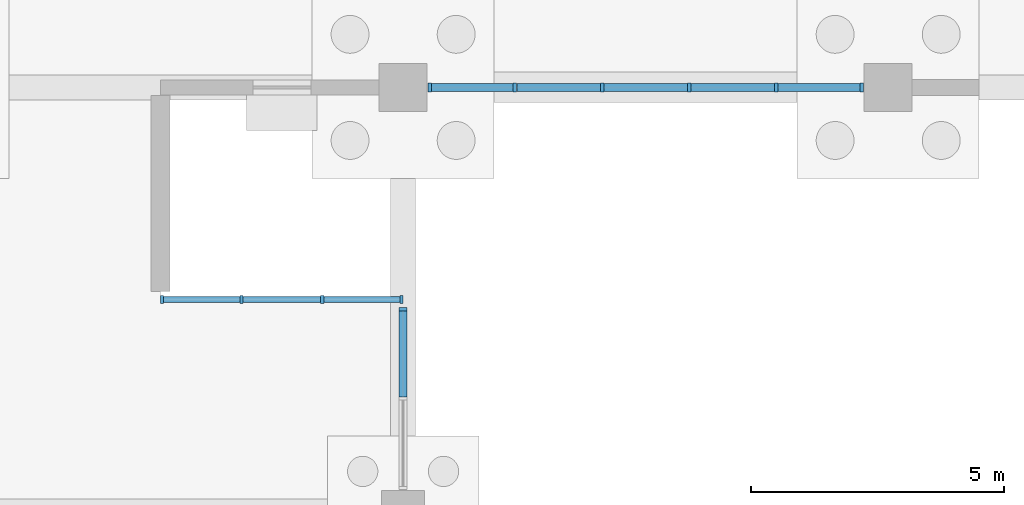
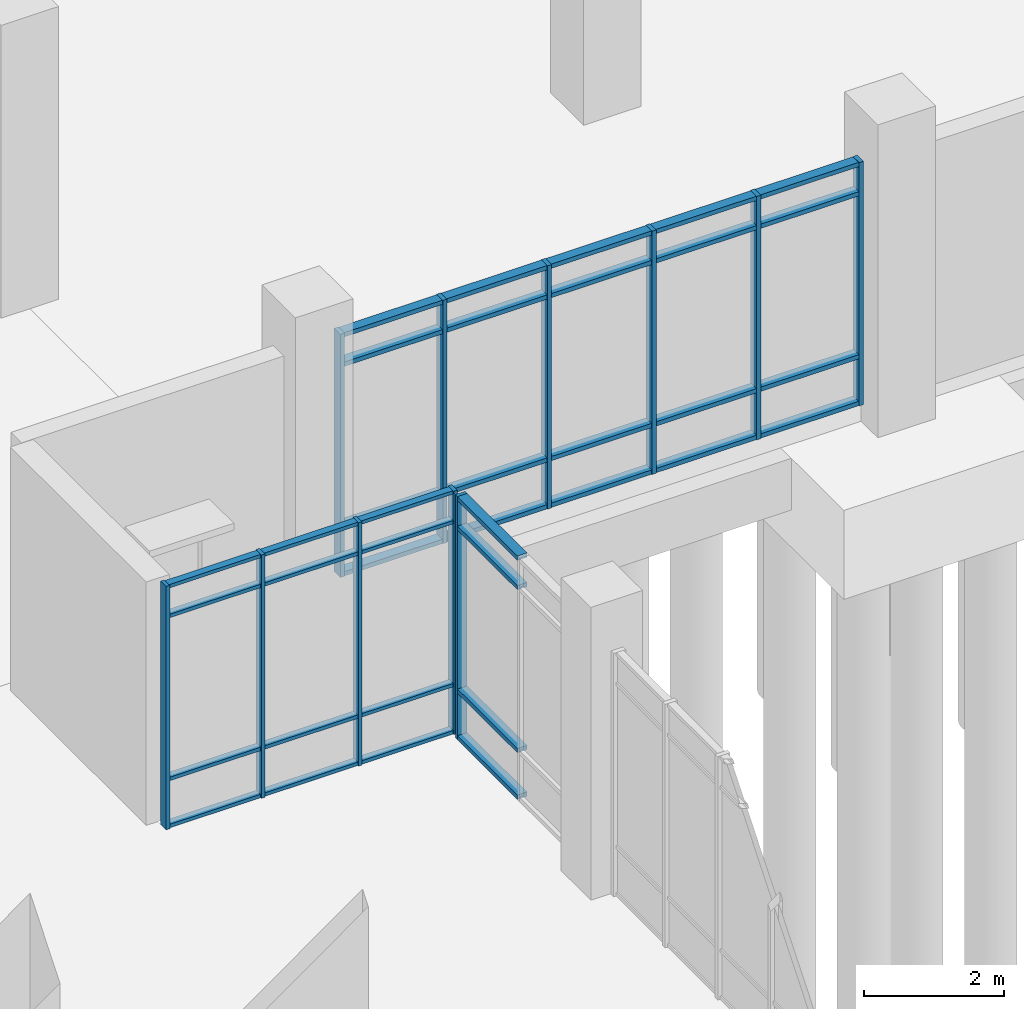
# One storey, part 62 of 136: 47 members, 3 elements without a shape of their own.
"""IFC4 building model written with IfcOpenShell, lengths in metres."""

import ifcopenshell
import ifcopenshell.guid

model = None  # the IFC model being written
_history = None  # IfcOwnerHistory: only IFC2X3 demands one
_inside = {}  # id of a spatial element -> (the spatial element, [elements in it])
_under = {}  # id of a project, library or spatial element -> (it, [spatial elements below it])
_declared = {}  # id of a project -> (the project, [libraries it declares])
_typed = {}  # id of a type object -> (the type object, [elements of that type])
_made_of = {}  # id of a material, layer set ... -> (it, [elements and type objects made of it])


def new_model(schema):
    """Start an empty IFC model of exactly this schema.

    Asked for "IFC4X3", IfcOpenShell would pick the latest addendum, in which some entities
    have other attributes; the version numbers below select the first issue.
    IFC2X3 requires an IfcOwnerHistory on every rooted entity: one is made here for all.
    """
    global model, _history
    if schema == "IFC4X3":
        model = ifcopenshell.file(schema_version=(4, 3, 0, 0))
    else:
        model = ifcopenshell.file(schema=schema)
    _inside.clear()
    _under.clear()
    _declared.clear()
    _typed.clear()
    _made_of.clear()
    _history = None
    if model.schema == "IFC2X3":
        org = make("IfcOrganization", Name="unknown")
        user = make(
            "IfcPersonAndOrganization",
            ThePerson=make("IfcPerson", FamilyName="unknown"),
            TheOrganization=org,
        )
        app = make(
            "IfcApplication",
            ApplicationDeveloper=org,
            Version="unknown",
            ApplicationFullName="unknown",
            ApplicationIdentifier="unknown",
        )
        _history = make(
            "IfcOwnerHistory",
            OwningUser=user,
            OwningApplication=app,
            ChangeAction="ADDED",
            CreationDate=0,
        )
    return model


def make(cls, **values):
    """One entity of the class cls with the attributes given. An attribute that is None is left unset."""
    return model.create_entity(
        cls, **{name: value for name, value in values.items() if value is not None}
    )


def rooted(cls, **values):
    """An entity with a GlobalId (a new one), such as an element, a storey or a relation."""
    return make(cls, GlobalId=ifcopenshell.guid.new(), OwnerHistory=_history, **values)


def si_unit(unit_type, name, prefix=None):
    """IfcSIUnit, for example si_unit("LENGTHUNIT", "METRE", prefix="MILLI")."""
    return make("IfcSIUnit", UnitType=unit_type, Prefix=prefix, Name=name)


def assignment(units):
    """IfcUnitAssignment: the units of a project."""
    return None if units is None else make("IfcUnitAssignment", Units=units)


def point(xyz):
    """IfcCartesianPoint."""
    return None if xyz is None else make("IfcCartesianPoint", Coordinates=xyz)


def direction(xyz):
    """IfcDirection."""
    return None if xyz is None else make("IfcDirection", DirectionRatios=xyz)


def frame(location, z_axis=None, x_axis=None):
    """IfcAxis2Placement3D, a coordinate frame: its origin and axes. An axis left out is left unset."""
    return make(
        "IfcAxis2Placement3D",
        Location=point(location),
        Axis=direction(z_axis),
        RefDirection=direction(x_axis),
    )


def frame_2d(location, x_axis=None):
    """IfcAxis2Placement2D, a coordinate frame in the plane: its origin and x axis."""
    return make(
        "IfcAxis2Placement2D", Location=point(location), RefDirection=direction(x_axis)
    )


def origin():
    """The frame at (0, 0, 0) with its axes left unset."""
    return frame((0.0, 0.0, 0.0))


def origin_2d():
    """The frame at (0, 0) in the plane with its x axis left unset."""
    return frame_2d((0.0, 0.0))


def place(relative_to, where):
    """IfcLocalPlacement: puts the frame where relative to a parent placement (None: the world)."""
    return make(
        "IfcLocalPlacement", PlacementRelTo=relative_to, RelativePlacement=where
    )


def context(
    kind, dimensions, precision=None, world=None, true_north=None, identifier=None
):
    """IfcGeometricRepresentationContext, for example the 3D "Model" context."""
    return make(
        "IfcGeometricRepresentationContext",
        ContextIdentifier=identifier,
        ContextType=kind,
        CoordinateSpaceDimension=dimensions,
        Precision=precision,
        WorldCoordinateSystem=world,
        TrueNorth=true_north,
    )


def subcontext(parent, identifier, kind, view, scale=None):
    """IfcGeometricRepresentationSubContext, for example "Body" below "Model"."""
    return make(
        "IfcGeometricRepresentationSubContext",
        ContextIdentifier=identifier,
        ContextType=kind,
        ParentContext=parent,
        TargetScale=scale,
        TargetView=view,
    )


def project(units=None, contexts=None):
    """IfcProject with its units and contexts."""
    return rooted(
        "IfcProject",
        Name="project",
        RepresentationContexts=contexts,
        UnitsInContext=assignment(units),
    )


def spatial(cls, under=None, at=None, **own):
    """A site, building, storey or space (cls), placed at a placement, below another one or the project."""
    s = rooted(cls, ObjectPlacement=at, **own)
    if under is not None:
        _under.setdefault(under.id(), (under, []))[1].append(s)
    return s


def profile(cls, at=None, kind="AREA", **sizes):
    """A parametric profile (cls). Its sizes go by their IFC names, for example OverallWidth=200.0."""
    return make(cls, ProfileType=kind, Position=at, **sizes)


def rectangle(**sizes):
    """IfcRectangleProfileDef."""
    return profile("IfcRectangleProfileDef", **sizes)


def extrude(swept, where, along, depth):
    """IfcExtrudedAreaSolid: the profile swept, set in the frame where, extruded along a direction by depth."""
    return make(
        "IfcExtrudedAreaSolid",
        SweptArea=swept,
        Position=where,
        ExtrudedDirection=direction(along),
        Depth=depth,
    )


def shape(context_of_items, identifier, shape_type, items):
    """IfcShapeRepresentation: the items that make up one representation, for example the "Body"."""
    return make(
        "IfcShapeRepresentation",
        ContextOfItems=context_of_items,
        RepresentationIdentifier=identifier,
        RepresentationType=shape_type,
        Items=items,
    )


def material(Name=None, Category=None):
    """IfcMaterial."""
    return make("IfcMaterial", Name=Name, Category=Category)


def material_profile(
    of_material, cross_section, Name=None, Category=None, Priority=None
):
    """IfcMaterialProfile: a cross section and its material."""
    return make(
        "IfcMaterialProfile",
        Name=Name,
        Material=of_material,
        Profile=cross_section,
        Priority=Priority,
        Category=Category,
    )


def profile_set(profiles, Name=None, composite=None):
    """IfcMaterialProfileSet."""
    return make(
        "IfcMaterialProfileSet",
        Name=Name,
        MaterialProfiles=profiles,
        CompositeProfile=composite,
    )


def made_of(thing, what):
    """Note that an element or type object is made of a material, layer set ...; save() writes the relation."""
    if what is not None:
        _made_of.setdefault(what.id(), (what, []))[1].append(thing)
    return thing


def type_object(cls, material=None, **own):
    """A type object (cls), such as IfcWallType, which elements share."""
    return made_of(rooted(cls, **own), material)


def element(
    cls,
    number,
    at=None,
    inside=None,
    cuts=None,
    type_object=None,
    material=None,
    context=None,
    identifier="Body",
    shape_type=None,
    held_by="IfcProductDefinitionShape",
    body=None,
    shapes=None,
    **own,
):
    """One element of the class cls, such as IfcWall. Its Tag is "e" and its number.

    at: its placement. inside: the storey or other place that contains it. cuts: it is an
    opening in that element (IfcRelVoidsElement). A single representation is given by context,
    identifier, shape_type and body (its items); several are given by shapes. held_by: the class
    of the entity that holds the representations. save() writes the other relations.
    """
    e = rooted(cls, Tag="e%d" % number, ObjectPlacement=at, **own)
    if body is not None:
        shapes = [shape(context, identifier, shape_type, body)]
    if shapes is not None:
        e.Representation = make(held_by, Representations=shapes)
    if inside is not None:
        _inside.setdefault(inside.id(), (inside, []))[1].append(e)
    if cuts is not None:
        rooted(
            "IfcRelVoidsElement", RelatingBuildingElement=cuts, RelatedOpeningElement=e
        )
    if type_object is not None:
        _typed.setdefault(type_object.id(), (type_object, []))[1].append(e)
    return made_of(e, material)


def aggregate(whole, parts):
    """IfcRelAggregates: a whole, such as a stair, and the parts it consists of."""
    return rooted("IfcRelAggregates", RelatingObject=whole, RelatedObjects=parts)


def save(model, path):
    """Write the relations noted so far, then the file.

    IfcRelAggregates (storeys below a building ...), IfcRelContainedInSpatialStructure (elements
    in a storey), IfcRelDefinesByType, IfcRelAssociatesMaterial and IfcRelDeclares: one each for
    every whole, place, type object, material and project.
    """
    for whole, parts in _under.values():
        aggregate(whole, parts)
    for where, things in _inside.values():
        rooted(
            "IfcRelContainedInSpatialStructure",
            RelatedElements=things,
            RelatingStructure=where,
        )
    for kind, things in _typed.values():
        rooted("IfcRelDefinesByType", RelatedObjects=things, RelatingType=kind)
    for what, things in _made_of.values():
        rooted("IfcRelAssociatesMaterial", RelatedObjects=things, RelatingMaterial=what)
    for by, libraries in _declared.values():
        rooted("IfcRelDeclares", RelatingContext=by, RelatedDefinitions=libraries)
    model.write(path)


model = new_model("IFC4")

# Units and contexts
model_context = context("Model", 3, precision=1e-05, world=origin(), true_north=direction((0.0, 1.0)))
body_context = subcontext(model_context, "Body", "Model", "MODEL_VIEW")
ifc_project = project(units=[si_unit("LENGTHUNIT", "METRE"), si_unit("AREAUNIT", "SQUARE_METRE"), si_unit("VOLUMEUNIT", "CUBIC_METRE"), si_unit("PLANEANGLEUNIT", "RADIAN"), si_unit("MASSUNIT", "GRAM", prefix="KILO")], contexts=[model_context])

# Site, building, storey
site_placement = place(None, origin())
site = spatial("IfcSite", under=ifc_project, at=site_placement, CompositionType="ELEMENT")
building_placement = place(site_placement, origin())
building = spatial("IfcBuilding", under=site, at=building_placement, Name="Oolite Switchyard Hospital", CompositionType="ELEMENT")
storey_placement = place(building_placement, origin())
storey = spatial("IfcBuildingStorey", under=building, at=storey_placement, Name="L00", CompositionType="ELEMENT", Elevation=0.0)

# Curtain wall, members
ifc_material_1 = material(Name="Thermally broken aluminum frame with laminated impact glazing", Category="aluminium")
curtain_wall_type_1 = type_object("IfcCurtainWallType", Name="CW-UNIT-84X51", PredefinedType="USERDEFINED", material=ifc_material_1)
curtain_wall_1_placement = place(storey_placement, origin())
curtain_wall_1 = element("IfcCurtainWall", 1, at=curtain_wall_1_placement, inside=storey, type_object=curtain_wall_type_1, Name="L00 Unitised Curtain Wall 36", ObjectType="UNITISED", PredefinedType="USERDEFINED")
ifc_material_2 = material(Name="Aluminium 6063-T6", Category="aluminium")
ifc_material_profile_1 = material_profile(ifc_material_2, rectangle(XDim=0.159912109375, YDim=0.06005859375, at=origin_2d()), Name="CWM60X160")
ifc_profile_set_1 = profile_set([ifc_material_profile_1], Name="Aluminium 6063-T6")
member_type_1 = type_object("IfcMemberType", Name="CW-MUL-180", PredefinedType="MULLION", material=ifc_profile_set_1)
member_1_placement = place(storey_placement, frame((168.030029296875, 96.60009765625, 0.0), z_axis=(0.0, 0.0, 1.0), x_axis=(0.0, 1.0, 0.0)))
member_1 = element("IfcMember", 2, at=member_1_placement, type_object=member_type_1, Name="CW-06 mullion 1", PredefinedType="MULLION", context=body_context, shape_type="SweptSolid", body=[
    extrude(rectangle(XDim=0.159912109375, YDim=0.06005859375, at=origin_2d()), origin(), (0.0, 0.0, 1.0), 4.239990234375),
])
member_2_placement = place(storey_placement, frame((169.60009765625, 96.60009765625, 0.0), z_axis=(0.0, 0.0, 1.0), x_axis=(0.0, 1.0, 0.0)))
member_2 = element("IfcMember", 3, at=member_2_placement, type_object=member_type_1, Name="CW-06 mullion 2", PredefinedType="MULLION", context=body_context, shape_type="SweptSolid", body=[
    extrude(rectangle(XDim=0.159912109375, YDim=0.06005859375, at=origin_2d()), origin(), (0.0, 0.0, 1.0), 4.239990234375),
])
member_3_placement = place(storey_placement, frame((171.199951171875, 96.60009765625, 0.0), z_axis=(0.0, 0.0, 1.0), x_axis=(0.0, 1.0, 0.0)))
member_3 = element("IfcMember", 4, at=member_3_placement, type_object=member_type_1, Name="CW-06 mullion 3", PredefinedType="MULLION", context=body_context, shape_type="SweptSolid", body=[
    extrude(rectangle(XDim=0.159912109375, YDim=0.06005859375, at=origin_2d()), origin(), (0.0, 0.0, 1.0), 4.239990234375),
])
member_4_placement = place(storey_placement, frame((172.77001953125, 96.60009765625, 0.0), z_axis=(0.0, 0.0, 1.0), x_axis=(0.0, 1.0, 0.0)))
member_4 = element("IfcMember", 5, at=member_4_placement, type_object=member_type_1, Name="CW-06 mullion 4", PredefinedType="MULLION", context=body_context, shape_type="SweptSolid", body=[
    extrude(rectangle(XDim=0.159912109375, YDim=0.06005859375, at=origin_2d()), origin(), (0.0, 0.0, 1.0), 4.239990234375),
])

# Curtain wall, member
curtain_wall_2_placement = place(storey_placement, origin())
curtain_wall_2 = element("IfcCurtainWall", 6, at=curtain_wall_2_placement, inside=storey, type_object=curtain_wall_type_1, Name="L00 Unitised Curtain Wall 81", ObjectType="UNITISED", PredefinedType="USERDEFINED")
member_5_placement = place(storey_placement, frame((172.800048828125, 96.409912109375, 0.0), z_axis=(0.0, 0.0, 1.0), x_axis=(1.0, 0.0, 0.0)))
member_5 = element("IfcMember", 7, at=member_5_placement, type_object=member_type_1, Name="CW-06 mullion 1", PredefinedType="MULLION", context=body_context, shape_type="SweptSolid", body=[
    extrude(rectangle(XDim=0.159912109375, YDim=0.06005859375, at=origin_2d()), origin(), (0.0, 0.0, 1.0), 4.239990234375),
])

# Curtain wall, members
curtain_wall_type_2 = type_object("IfcCurtainWallType", Name="CW-UNIT-96X51", PredefinedType="USERDEFINED", material=ifc_material_1)
curtain_wall_3_placement = place(storey_placement, origin())
curtain_wall_3 = element("IfcCurtainWall", 8, at=curtain_wall_3_placement, inside=storey, type_object=curtain_wall_type_2, Name="L00 Unitised Curtain Wall 37", ObjectType="UNITISED", PredefinedType="USERDEFINED")
ifc_material_profile_2 = material_profile(ifc_material_2, rectangle(XDim=0.179931640625, YDim=0.070068359375, at=origin_2d()), Name="CWM70X180")
ifc_profile_set_2 = profile_set([ifc_material_profile_2], Name="Aluminium 6063-T6")
member_type_2 = type_object("IfcMemberType", Name="CW-MUL-220", PredefinedType="MULLION", material=ifc_profile_set_2)
member_6_placement = place(storey_placement, frame((181.875, 100.800048828125, 0.0), z_axis=(0.0, 0.0, 1.0), x_axis=(0.0, -1.0, 0.0)))
member_6 = element("IfcMember", 9, at=member_6_placement, type_object=member_type_2, Name="CW-01 mullion 1", PredefinedType="MULLION", context=body_context, shape_type="SweptSolid", body=[
    extrude(rectangle(XDim=0.179931640625, YDim=0.070068359375, at=origin_2d()), origin(), (0.0, 0.0, 1.0), 4.239990234375),
])
member_7_placement = place(storey_placement, frame((180.18603515625, 100.800048828125, 0.0), z_axis=(0.0, 0.0, 1.0), x_axis=(0.0, -1.0, 0.0)))
member_7 = element("IfcMember", 10, at=member_7_placement, type_object=member_type_2, Name="CW-01 mullion 2", PredefinedType="MULLION", context=body_context, shape_type="SweptSolid", body=[
    extrude(rectangle(XDim=0.179931640625, YDim=0.070068359375, at=origin_2d()), origin(), (0.0, 0.0, 1.0), 4.239990234375),
])
member_8_placement = place(storey_placement, frame((178.4619140625, 100.800048828125, 0.0), z_axis=(0.0, 0.0, 1.0), x_axis=(0.0, -1.0, 0.0)))
member_8 = element("IfcMember", 11, at=member_8_placement, type_object=member_type_2, Name="CW-01 mullion 3", PredefinedType="MULLION", context=body_context, shape_type="SweptSolid", body=[
    extrude(rectangle(XDim=0.179931640625, YDim=0.070068359375, at=origin_2d()), origin(), (0.0, 0.0, 1.0), 4.239990234375),
])
member_9_placement = place(storey_placement, frame((176.738037109375, 100.800048828125, 0.0), z_axis=(0.0, 0.0, 1.0), x_axis=(0.0, -1.0, 0.0)))
member_9 = element("IfcMember", 12, at=member_9_placement, type_object=member_type_2, Name="CW-01 mullion 4", PredefinedType="MULLION", context=body_context, shape_type="SweptSolid", body=[
    extrude(rectangle(XDim=0.179931640625, YDim=0.070068359375, at=origin_2d()), origin(), (0.0, 0.0, 1.0), 4.239990234375),
])
member_10_placement = place(storey_placement, frame((175.013916015625, 100.800048828125, 0.0), z_axis=(0.0, 0.0, 1.0), x_axis=(0.0, -1.0, 0.0)))
member_10 = element("IfcMember", 13, at=member_10_placement, type_object=member_type_2, Name="CW-01 mullion 5", PredefinedType="MULLION", context=body_context, shape_type="SweptSolid", body=[
    extrude(rectangle(XDim=0.179931640625, YDim=0.070068359375, at=origin_2d()), origin(), (0.0, 0.0, 1.0), 4.239990234375),
])
member_11_placement = place(storey_placement, frame((173.324951171875, 100.800048828125, 0.0), z_axis=(0.0, 0.0, 1.0), x_axis=(0.0, -1.0, 0.0)))
member_11 = element("IfcMember", 14, at=member_11_placement, type_object=member_type_2, Name="CW-01 mullion 6", PredefinedType="MULLION", context=body_context, shape_type="SweptSolid", body=[
    extrude(rectangle(XDim=0.179931640625, YDim=0.070068359375, at=origin_2d()), origin(), (0.0, 0.0, 1.0), 4.239990234375),
])

# Member
ifc_material_profile_3 = material_profile(ifc_material_2, rectangle(XDim=0.1201171875, YDim=0.06005859375, at=origin_2d()), Name="CWT60X120")
ifc_profile_set_3 = profile_set([ifc_material_profile_3], Name="Aluminium 6063-T6")
member_type_3 = type_object("IfcMemberType", Name="CW-TRN-150", PredefinedType="USERDEFINED", material=ifc_profile_set_3)
member_12_placement = place(storey_placement, frame((168.06005859375, 96.60009765625, 0.030029296875), z_axis=(1.0, 0.0, 0.0), x_axis=(0.0, 1.0, 0.0)))
member_12 = element("IfcMember", 15, at=member_12_placement, type_object=member_type_3, Name="CW-06 transom 1.1", ObjectType="TRANSOM", PredefinedType="USERDEFINED", context=body_context, shape_type="SweptSolid", body=[
    extrude(rectangle(XDim=0.1201171875, YDim=0.06005859375, at=origin_2d()), origin(), (0.0, 0.0, 1.0), 1.510009765625),
])

member_13_placement = place(storey_placement, frame((168.06005859375, 96.60009765625, 0.85009765625), z_axis=(1.0, 0.0, 0.0), x_axis=(0.0, 1.0, 0.0)))
member_13 = element("IfcMember", 16, at=member_13_placement, type_object=member_type_3, Name="CW-06 transom 1.2", ObjectType="TRANSOM", PredefinedType="USERDEFINED", context=body_context, shape_type="SweptSolid", body=[
    extrude(rectangle(XDim=0.1201171875, YDim=0.06005859375, at=origin_2d()), origin(), (0.0, 0.0, 1.0), 1.510009765625),
])

member_14_placement = place(storey_placement, frame((168.06005859375, 96.60009765625, 3.68994140625), z_axis=(1.0, 0.0, 0.0), x_axis=(0.0, 1.0, 0.0)))
member_14 = element("IfcMember", 17, at=member_14_placement, type_object=member_type_3, Name="CW-06 transom 1.3", ObjectType="TRANSOM", PredefinedType="USERDEFINED", context=body_context, shape_type="SweptSolid", body=[
    extrude(rectangle(XDim=0.1201171875, YDim=0.06005859375, at=origin_2d()), origin(), (0.0, 0.0, 1.0), 1.510009765625),
])

member_15_placement = place(storey_placement, frame((168.06005859375, 96.60009765625, 4.2099609375), z_axis=(1.0, 0.0, 0.0), x_axis=(0.0, 1.0, 0.0)))
member_15 = element("IfcMember", 18, at=member_15_placement, type_object=member_type_3, Name="CW-06 transom 1.4", ObjectType="TRANSOM", PredefinedType="USERDEFINED", context=body_context, shape_type="SweptSolid", body=[
    extrude(rectangle(XDim=0.1201171875, YDim=0.06005859375, at=origin_2d()), origin(), (0.0, 0.0, 1.0), 1.510009765625),
])

member_16_placement = place(storey_placement, frame((169.6298828125, 96.60009765625, 0.030029296875), z_axis=(1.0, 0.0, 0.0), x_axis=(0.0, 1.0, 0.0)))
member_16 = element("IfcMember", 19, at=member_16_placement, type_object=member_type_3, Name="CW-06 transom 2.1", ObjectType="TRANSOM", PredefinedType="USERDEFINED", context=body_context, shape_type="SweptSolid", body=[
    extrude(rectangle(XDim=0.1201171875, YDim=0.06005859375, at=origin_2d()), origin(), (0.0, 0.0, 1.0), 1.5400390625),
])

member_17_placement = place(storey_placement, frame((169.6298828125, 96.60009765625, 0.85009765625), z_axis=(1.0, 0.0, 0.0), x_axis=(0.0, 1.0, 0.0)))
member_17 = element("IfcMember", 20, at=member_17_placement, type_object=member_type_3, Name="CW-06 transom 2.2", ObjectType="TRANSOM", PredefinedType="USERDEFINED", context=body_context, shape_type="SweptSolid", body=[
    extrude(rectangle(XDim=0.1201171875, YDim=0.06005859375, at=origin_2d()), origin(), (0.0, 0.0, 1.0), 1.5400390625),
])

member_18_placement = place(storey_placement, frame((169.6298828125, 96.60009765625, 3.68994140625), z_axis=(1.0, 0.0, 0.0), x_axis=(0.0, 1.0, 0.0)))
member_18 = element("IfcMember", 21, at=member_18_placement, type_object=member_type_3, Name="CW-06 transom 2.3", ObjectType="TRANSOM", PredefinedType="USERDEFINED", context=body_context, shape_type="SweptSolid", body=[
    extrude(rectangle(XDim=0.1201171875, YDim=0.06005859375, at=origin_2d()), origin(), (0.0, 0.0, 1.0), 1.5400390625),
])

member_19_placement = place(storey_placement, frame((169.6298828125, 96.60009765625, 4.2099609375), z_axis=(1.0, 0.0, 0.0), x_axis=(0.0, 1.0, 0.0)))
member_19 = element("IfcMember", 22, at=member_19_placement, type_object=member_type_3, Name="CW-06 transom 2.4", ObjectType="TRANSOM", PredefinedType="USERDEFINED", context=body_context, shape_type="SweptSolid", body=[
    extrude(rectangle(XDim=0.1201171875, YDim=0.06005859375, at=origin_2d()), origin(), (0.0, 0.0, 1.0), 1.5400390625),
])

member_20_placement = place(storey_placement, frame((171.22998046875, 96.60009765625, 0.030029296875), z_axis=(1.0, 0.0, 0.0), x_axis=(0.0, 1.0, 0.0)))
member_20 = element("IfcMember", 23, at=member_20_placement, type_object=member_type_3, Name="CW-06 transom 3.1", ObjectType="TRANSOM", PredefinedType="USERDEFINED", context=body_context, shape_type="SweptSolid", body=[
    extrude(rectangle(XDim=0.1201171875, YDim=0.06005859375, at=origin_2d()), origin(), (0.0, 0.0, 1.0), 1.510009765625),
])

member_21_placement = place(storey_placement, frame((171.22998046875, 96.60009765625, 0.85009765625), z_axis=(1.0, 0.0, 0.0), x_axis=(0.0, 1.0, 0.0)))
member_21 = element("IfcMember", 24, at=member_21_placement, type_object=member_type_3, Name="CW-06 transom 3.2", ObjectType="TRANSOM", PredefinedType="USERDEFINED", context=body_context, shape_type="SweptSolid", body=[
    extrude(rectangle(XDim=0.1201171875, YDim=0.06005859375, at=origin_2d()), origin(), (0.0, 0.0, 1.0), 1.510009765625),
])

member_22_placement = place(storey_placement, frame((171.22998046875, 96.60009765625, 3.68994140625), z_axis=(1.0, 0.0, 0.0), x_axis=(0.0, 1.0, 0.0)))
member_22 = element("IfcMember", 25, at=member_22_placement, type_object=member_type_3, Name="CW-06 transom 3.3", ObjectType="TRANSOM", PredefinedType="USERDEFINED", context=body_context, shape_type="SweptSolid", body=[
    extrude(rectangle(XDim=0.1201171875, YDim=0.06005859375, at=origin_2d()), origin(), (0.0, 0.0, 1.0), 1.510009765625),
])

member_23_placement = place(storey_placement, frame((171.22998046875, 96.60009765625, 4.2099609375), z_axis=(1.0, 0.0, 0.0), x_axis=(0.0, 1.0, 0.0)))
member_23 = element("IfcMember", 26, at=member_23_placement, type_object=member_type_3, Name="CW-06 transom 3.4", ObjectType="TRANSOM", PredefinedType="USERDEFINED", context=body_context, shape_type="SweptSolid", body=[
    extrude(rectangle(XDim=0.1201171875, YDim=0.06005859375, at=origin_2d()), origin(), (0.0, 0.0, 1.0), 1.510009765625),
])

aggregate(curtain_wall_1, [member_1, member_2, member_3, member_4, member_12, member_13, member_14, member_15, member_16, member_17, member_18, member_19, member_20, member_21, member_22, member_23])

ifc_material_profile_4 = material_profile(ifc_material_2, rectangle(XDim=0.159912109375, YDim=0.074951171875, at=origin_2d()), Name="CWT75X160")
ifc_profile_set_4 = profile_set([ifc_material_profile_4], Name="Aluminium 6063-T6")
member_type_4 = type_object("IfcMemberType", Name="CW-TRN-180", PredefinedType="USERDEFINED", material=ifc_profile_set_4)
member_24_placement = place(storey_placement, frame((181.840087890625, 100.800048828125, 0.03759765625), z_axis=(-1.0, 0.0, 0.0), x_axis=(0.0, -1.0, 0.0)))
member_24 = element("IfcMember", 27, at=member_24_placement, type_object=member_type_4, Name="CW-01 transom 1.1", ObjectType="TRANSOM", PredefinedType="USERDEFINED", context=body_context, shape_type="SweptSolid", body=[
    extrude(rectangle(XDim=0.159912109375, YDim=0.074951171875, at=origin_2d()), origin(), (0.0, 0.0, 1.0), 1.619140625),
])

member_25_placement = place(storey_placement, frame((181.840087890625, 100.800048828125, 0.85009765625), z_axis=(-1.0, 0.0, 0.0), x_axis=(0.0, -1.0, 0.0)))
member_25 = element("IfcMember", 28, at=member_25_placement, type_object=member_type_4, Name="CW-01 transom 1.2", ObjectType="TRANSOM", PredefinedType="USERDEFINED", context=body_context, shape_type="SweptSolid", body=[
    extrude(rectangle(XDim=0.159912109375, YDim=0.074951171875, at=origin_2d()), origin(), (0.0, 0.0, 1.0), 1.619140625),
])

member_26_placement = place(storey_placement, frame((181.840087890625, 100.800048828125, 3.68994140625), z_axis=(-1.0, 0.0, 0.0), x_axis=(0.0, -1.0, 0.0)))
member_26 = element("IfcMember", 29, at=member_26_placement, type_object=member_type_4, Name="CW-01 transom 1.3", ObjectType="TRANSOM", PredefinedType="USERDEFINED", context=body_context, shape_type="SweptSolid", body=[
    extrude(rectangle(XDim=0.159912109375, YDim=0.074951171875, at=origin_2d()), origin(), (0.0, 0.0, 1.0), 1.619140625),
])

member_27_placement = place(storey_placement, frame((181.840087890625, 100.800048828125, 4.202392578125), z_axis=(-1.0, 0.0, 0.0), x_axis=(0.0, -1.0, 0.0)))
member_27 = element("IfcMember", 30, at=member_27_placement, type_object=member_type_4, Name="CW-01 transom 1.4", ObjectType="TRANSOM", PredefinedType="USERDEFINED", context=body_context, shape_type="SweptSolid", body=[
    extrude(rectangle(XDim=0.159912109375, YDim=0.074951171875, at=origin_2d()), origin(), (0.0, 0.0, 1.0), 1.619140625),
])

member_28_placement = place(storey_placement, frame((180.15087890625, 100.800048828125, 0.03759765625), z_axis=(-1.0, 0.0, 0.0), x_axis=(0.0, -1.0, 0.0)))
member_28 = element("IfcMember", 31, at=member_28_placement, type_object=member_type_4, Name="CW-01 transom 2.1", ObjectType="TRANSOM", PredefinedType="USERDEFINED", context=body_context, shape_type="SweptSolid", body=[
    extrude(rectangle(XDim=0.159912109375, YDim=0.074951171875, at=origin_2d()), origin(), (0.0, 0.0, 1.0), 1.65380859375),
])

member_29_placement = place(storey_placement, frame((180.15087890625, 100.800048828125, 0.85009765625), z_axis=(-1.0, 0.0, 0.0), x_axis=(0.0, -1.0, 0.0)))
member_29 = element("IfcMember", 32, at=member_29_placement, type_object=member_type_4, Name="CW-01 transom 2.2", ObjectType="TRANSOM", PredefinedType="USERDEFINED", context=body_context, shape_type="SweptSolid", body=[
    extrude(rectangle(XDim=0.159912109375, YDim=0.074951171875, at=origin_2d()), origin(), (0.0, 0.0, 1.0), 1.65380859375),
])

member_30_placement = place(storey_placement, frame((180.15087890625, 100.800048828125, 3.68994140625), z_axis=(-1.0, 0.0, 0.0), x_axis=(0.0, -1.0, 0.0)))
member_30 = element("IfcMember", 33, at=member_30_placement, type_object=member_type_4, Name="CW-01 transom 2.3", ObjectType="TRANSOM", PredefinedType="USERDEFINED", context=body_context, shape_type="SweptSolid", body=[
    extrude(rectangle(XDim=0.159912109375, YDim=0.074951171875, at=origin_2d()), origin(), (0.0, 0.0, 1.0), 1.65380859375),
])

member_31_placement = place(storey_placement, frame((180.15087890625, 100.800048828125, 4.202392578125), z_axis=(-1.0, 0.0, 0.0), x_axis=(0.0, -1.0, 0.0)))
member_31 = element("IfcMember", 34, at=member_31_placement, type_object=member_type_4, Name="CW-01 transom 2.4", ObjectType="TRANSOM", PredefinedType="USERDEFINED", context=body_context, shape_type="SweptSolid", body=[
    extrude(rectangle(XDim=0.159912109375, YDim=0.074951171875, at=origin_2d()), origin(), (0.0, 0.0, 1.0), 1.65380859375),
])

member_32_placement = place(storey_placement, frame((178.427001953125, 100.800048828125, 0.03759765625), z_axis=(-1.0, 0.0, 0.0), x_axis=(0.0, -1.0, 0.0)))
member_32 = element("IfcMember", 35, at=member_32_placement, type_object=member_type_4, Name="CW-01 transom 3.1", ObjectType="TRANSOM", PredefinedType="USERDEFINED", context=body_context, shape_type="SweptSolid", body=[
    extrude(rectangle(XDim=0.159912109375, YDim=0.074951171875, at=origin_2d()), origin(), (0.0, 0.0, 1.0), 1.654052734375),
])

member_33_placement = place(storey_placement, frame((178.427001953125, 100.800048828125, 0.85009765625), z_axis=(-1.0, 0.0, 0.0), x_axis=(0.0, -1.0, 0.0)))
member_33 = element("IfcMember", 36, at=member_33_placement, type_object=member_type_4, Name="CW-01 transom 3.2", ObjectType="TRANSOM", PredefinedType="USERDEFINED", context=body_context, shape_type="SweptSolid", body=[
    extrude(rectangle(XDim=0.159912109375, YDim=0.074951171875, at=origin_2d()), origin(), (0.0, 0.0, 1.0), 1.654052734375),
])

member_34_placement = place(storey_placement, frame((178.427001953125, 100.800048828125, 3.68994140625), z_axis=(-1.0, 0.0, 0.0), x_axis=(0.0, -1.0, 0.0)))
member_34 = element("IfcMember", 37, at=member_34_placement, type_object=member_type_4, Name="CW-01 transom 3.3", ObjectType="TRANSOM", PredefinedType="USERDEFINED", context=body_context, shape_type="SweptSolid", body=[
    extrude(rectangle(XDim=0.159912109375, YDim=0.074951171875, at=origin_2d()), origin(), (0.0, 0.0, 1.0), 1.654052734375),
])

member_35_placement = place(storey_placement, frame((178.427001953125, 100.800048828125, 4.202392578125), z_axis=(-1.0, 0.0, 0.0), x_axis=(0.0, -1.0, 0.0)))
member_35 = element("IfcMember", 38, at=member_35_placement, type_object=member_type_4, Name="CW-01 transom 3.4", ObjectType="TRANSOM", PredefinedType="USERDEFINED", context=body_context, shape_type="SweptSolid", body=[
    extrude(rectangle(XDim=0.159912109375, YDim=0.074951171875, at=origin_2d()), origin(), (0.0, 0.0, 1.0), 1.654052734375),
])

member_36_placement = place(storey_placement, frame((176.702880859375, 100.800048828125, 0.03759765625), z_axis=(-1.0, 0.0, 0.0), x_axis=(0.0, -1.0, 0.0)))
member_36 = element("IfcMember", 39, at=member_36_placement, type_object=member_type_4, Name="CW-01 transom 4.1", ObjectType="TRANSOM", PredefinedType="USERDEFINED", context=body_context, shape_type="SweptSolid", body=[
    extrude(rectangle(XDim=0.159912109375, YDim=0.074951171875, at=origin_2d()), origin(), (0.0, 0.0, 1.0), 1.65380859375),
])

member_37_placement = place(storey_placement, frame((176.702880859375, 100.800048828125, 0.85009765625), z_axis=(-1.0, 0.0, 0.0), x_axis=(0.0, -1.0, 0.0)))
member_37 = element("IfcMember", 40, at=member_37_placement, type_object=member_type_4, Name="CW-01 transom 4.2", ObjectType="TRANSOM", PredefinedType="USERDEFINED", context=body_context, shape_type="SweptSolid", body=[
    extrude(rectangle(XDim=0.159912109375, YDim=0.074951171875, at=origin_2d()), origin(), (0.0, 0.0, 1.0), 1.65380859375),
])

member_38_placement = place(storey_placement, frame((176.702880859375, 100.800048828125, 3.68994140625), z_axis=(-1.0, 0.0, 0.0), x_axis=(0.0, -1.0, 0.0)))
member_38 = element("IfcMember", 41, at=member_38_placement, type_object=member_type_4, Name="CW-01 transom 4.3", ObjectType="TRANSOM", PredefinedType="USERDEFINED", context=body_context, shape_type="SweptSolid", body=[
    extrude(rectangle(XDim=0.159912109375, YDim=0.074951171875, at=origin_2d()), origin(), (0.0, 0.0, 1.0), 1.65380859375),
])

member_39_placement = place(storey_placement, frame((176.702880859375, 100.800048828125, 4.202392578125), z_axis=(-1.0, 0.0, 0.0), x_axis=(0.0, -1.0, 0.0)))
member_39 = element("IfcMember", 42, at=member_39_placement, type_object=member_type_4, Name="CW-01 transom 4.4", ObjectType="TRANSOM", PredefinedType="USERDEFINED", context=body_context, shape_type="SweptSolid", body=[
    extrude(rectangle(XDim=0.159912109375, YDim=0.074951171875, at=origin_2d()), origin(), (0.0, 0.0, 1.0), 1.65380859375),
])

member_40_placement = place(storey_placement, frame((174.97900390625, 100.800048828125, 0.03759765625), z_axis=(-1.0, 0.0, 0.0), x_axis=(0.0, -1.0, 0.0)))
member_40 = element("IfcMember", 43, at=member_40_placement, type_object=member_type_4, Name="CW-01 transom 5.1", ObjectType="TRANSOM", PredefinedType="USERDEFINED", context=body_context, shape_type="SweptSolid", body=[
    extrude(rectangle(XDim=0.159912109375, YDim=0.074951171875, at=origin_2d()), origin(), (0.0, 0.0, 1.0), 1.618896484375),
])

member_41_placement = place(storey_placement, frame((174.97900390625, 100.800048828125, 0.85009765625), z_axis=(-1.0, 0.0, 0.0), x_axis=(0.0, -1.0, 0.0)))
member_41 = element("IfcMember", 44, at=member_41_placement, type_object=member_type_4, Name="CW-01 transom 5.2", ObjectType="TRANSOM", PredefinedType="USERDEFINED", context=body_context, shape_type="SweptSolid", body=[
    extrude(rectangle(XDim=0.159912109375, YDim=0.074951171875, at=origin_2d()), origin(), (0.0, 0.0, 1.0), 1.618896484375),
])

member_42_placement = place(storey_placement, frame((174.97900390625, 100.800048828125, 3.68994140625), z_axis=(-1.0, 0.0, 0.0), x_axis=(0.0, -1.0, 0.0)))
member_42 = element("IfcMember", 45, at=member_42_placement, type_object=member_type_4, Name="CW-01 transom 5.3", ObjectType="TRANSOM", PredefinedType="USERDEFINED", context=body_context, shape_type="SweptSolid", body=[
    extrude(rectangle(XDim=0.159912109375, YDim=0.074951171875, at=origin_2d()), origin(), (0.0, 0.0, 1.0), 1.618896484375),
])

member_43_placement = place(storey_placement, frame((174.97900390625, 100.800048828125, 4.202392578125), z_axis=(-1.0, 0.0, 0.0), x_axis=(0.0, -1.0, 0.0)))
member_43 = element("IfcMember", 46, at=member_43_placement, type_object=member_type_4, Name="CW-01 transom 5.4", ObjectType="TRANSOM", PredefinedType="USERDEFINED", context=body_context, shape_type="SweptSolid", body=[
    extrude(rectangle(XDim=0.159912109375, YDim=0.074951171875, at=origin_2d()), origin(), (0.0, 0.0, 1.0), 1.618896484375),
])

aggregate(curtain_wall_3, [member_6, member_7, member_8, member_9, member_10, member_11, member_24, member_25, member_26, member_27, member_28, member_29, member_30, member_31, member_32, member_33, member_34, member_35, member_36, member_37, member_38, member_39, member_40, member_41, member_42, member_43])

member_44_placement = place(storey_placement, frame((172.800048828125, 96.3798828125, 0.03759765625), z_axis=(0.0, -1.0, 0.0), x_axis=(1.0, 0.0, 0.0)))
member_44 = element("IfcMember", 47, at=member_44_placement, type_object=member_type_4, Name="CW-06 transom 1.1", ObjectType="TRANSOM", PredefinedType="USERDEFINED", context=body_context, shape_type="SweptSolid", body=[
    extrude(rectangle(XDim=0.159912109375, YDim=0.074951171875, at=origin_2d()), origin(), (0.0, 0.0, 1.0), 1.7099609375),
])

member_45_placement = place(storey_placement, frame((172.800048828125, 96.3798828125, 0.85009765625), z_axis=(0.0, -1.0, 0.0), x_axis=(1.0, 0.0, 0.0)))
member_45 = element("IfcMember", 48, at=member_45_placement, type_object=member_type_4, Name="CW-06 transom 1.2", ObjectType="TRANSOM", PredefinedType="USERDEFINED", context=body_context, shape_type="SweptSolid", body=[
    extrude(rectangle(XDim=0.159912109375, YDim=0.074951171875, at=origin_2d()), origin(), (0.0, 0.0, 1.0), 1.7099609375),
])

member_46_placement = place(storey_placement, frame((172.800048828125, 96.3798828125, 3.68994140625), z_axis=(0.0, -1.0, 0.0), x_axis=(1.0, 0.0, 0.0)))
member_46 = element("IfcMember", 49, at=member_46_placement, type_object=member_type_4, Name="CW-06 transom 1.3", ObjectType="TRANSOM", PredefinedType="USERDEFINED", context=body_context, shape_type="SweptSolid", body=[
    extrude(rectangle(XDim=0.159912109375, YDim=0.074951171875, at=origin_2d()), origin(), (0.0, 0.0, 1.0), 1.7099609375),
])

member_47_placement = place(storey_placement, frame((172.800048828125, 96.3798828125, 4.202392578125), z_axis=(0.0, -1.0, 0.0), x_axis=(1.0, 0.0, 0.0)))
member_47 = element("IfcMember", 50, at=member_47_placement, type_object=member_type_4, Name="CW-06 transom 1.4", ObjectType="TRANSOM", PredefinedType="USERDEFINED", context=body_context, shape_type="SweptSolid", body=[
    extrude(rectangle(XDim=0.159912109375, YDim=0.074951171875, at=origin_2d()), origin(), (0.0, 0.0, 1.0), 1.7099609375),
])

aggregate(curtain_wall_2, [member_5, member_44, member_45, member_46, member_47])

save(model, "model.ifc")
